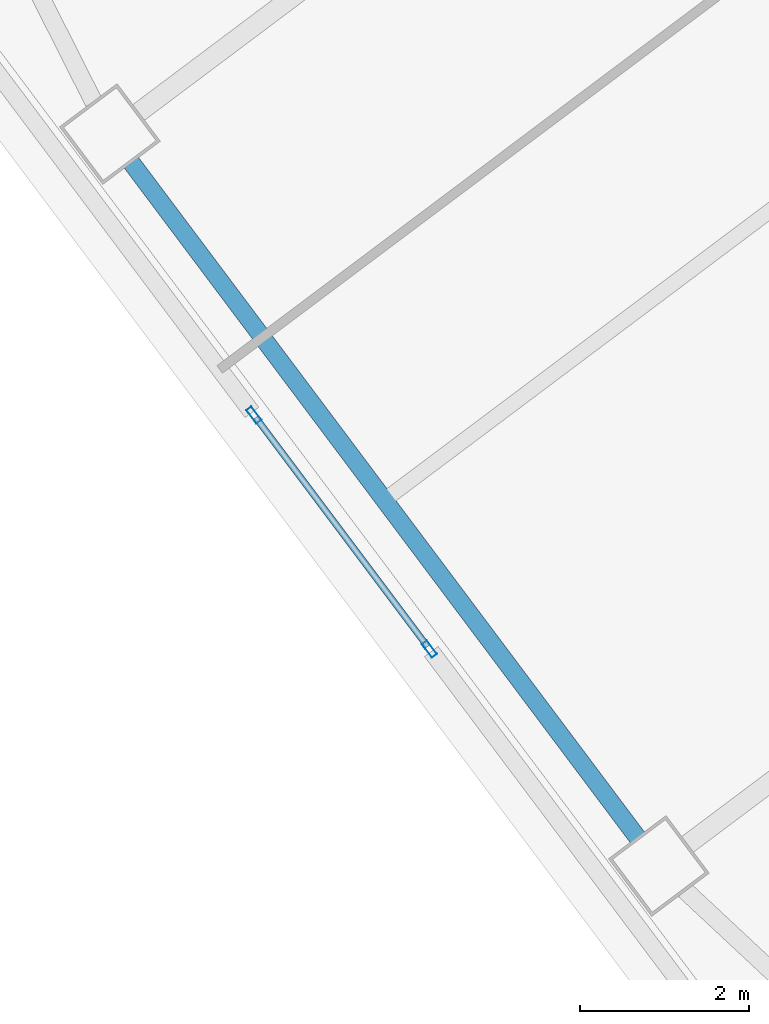
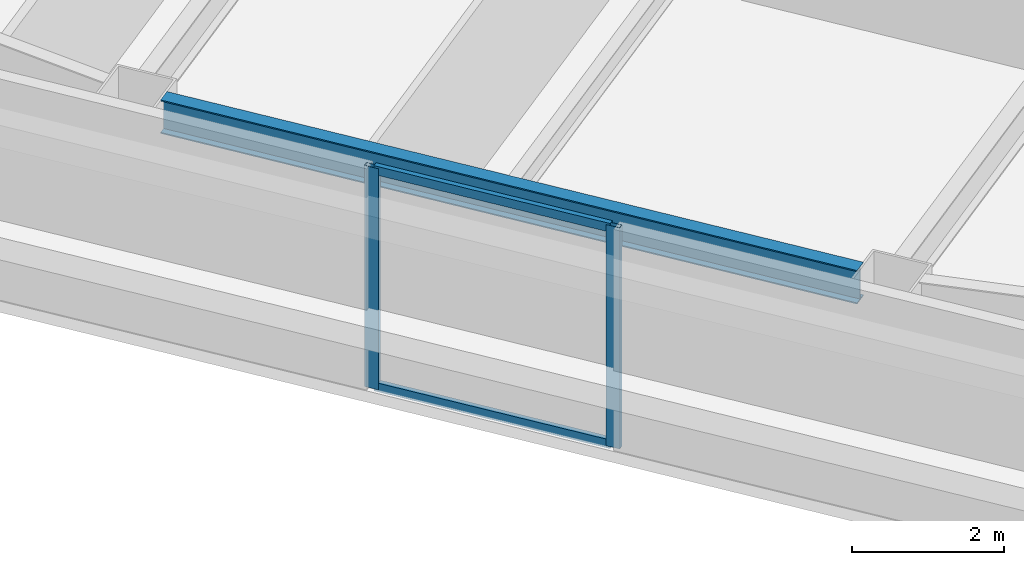
# One storey, part 17 of 44: 4 members, 1 beam, 1 element without a shape of its own.
"""IFC4 building model written with IfcOpenShell, lengths in metres."""

import ifcopenshell
import ifcopenshell.guid

model = None  # the IFC model being written
_history = None  # IfcOwnerHistory: only IFC2X3 demands one
_inside = {}  # id of a spatial element -> (the spatial element, [elements in it])
_under = {}  # id of a project, library or spatial element -> (it, [spatial elements below it])
_declared = {}  # id of a project -> (the project, [libraries it declares])
_typed = {}  # id of a type object -> (the type object, [elements of that type])
_made_of = {}  # id of a material, layer set ... -> (it, [elements and type objects made of it])


def new_model(schema):
    """Start an empty IFC model of exactly this schema.

    Asked for "IFC4X3", IfcOpenShell would pick the latest addendum, in which some entities
    have other attributes; the version numbers below select the first issue.
    IFC2X3 requires an IfcOwnerHistory on every rooted entity: one is made here for all.
    """
    global model, _history
    if schema == "IFC4X3":
        model = ifcopenshell.file(schema_version=(4, 3, 0, 0))
    else:
        model = ifcopenshell.file(schema=schema)
    _inside.clear()
    _under.clear()
    _declared.clear()
    _typed.clear()
    _made_of.clear()
    _history = None
    if model.schema == "IFC2X3":
        org = make("IfcOrganization", Name="unknown")
        user = make(
            "IfcPersonAndOrganization",
            ThePerson=make("IfcPerson", FamilyName="unknown"),
            TheOrganization=org,
        )
        app = make(
            "IfcApplication",
            ApplicationDeveloper=org,
            Version="unknown",
            ApplicationFullName="unknown",
            ApplicationIdentifier="unknown",
        )
        _history = make(
            "IfcOwnerHistory",
            OwningUser=user,
            OwningApplication=app,
            ChangeAction="ADDED",
            CreationDate=0,
        )
    return model


def make(cls, **values):
    """One entity of the class cls with the attributes given. An attribute that is None is left unset."""
    return model.create_entity(
        cls, **{name: value for name, value in values.items() if value is not None}
    )


def rooted(cls, **values):
    """An entity with a GlobalId (a new one), such as an element, a storey or a relation."""
    return make(cls, GlobalId=ifcopenshell.guid.new(), OwnerHistory=_history, **values)


def si_unit(unit_type, name, prefix=None):
    """IfcSIUnit, for example si_unit("LENGTHUNIT", "METRE", prefix="MILLI")."""
    return make("IfcSIUnit", UnitType=unit_type, Prefix=prefix, Name=name)


def assignment(units):
    """IfcUnitAssignment: the units of a project."""
    return None if units is None else make("IfcUnitAssignment", Units=units)


def point(xyz):
    """IfcCartesianPoint."""
    return None if xyz is None else make("IfcCartesianPoint", Coordinates=xyz)


def direction(xyz):
    """IfcDirection."""
    return None if xyz is None else make("IfcDirection", DirectionRatios=xyz)


def frame(location, z_axis=None, x_axis=None):
    """IfcAxis2Placement3D, a coordinate frame: its origin and axes. An axis left out is left unset."""
    return make(
        "IfcAxis2Placement3D",
        Location=point(location),
        Axis=direction(z_axis),
        RefDirection=direction(x_axis),
    )


def frame_2d(location, x_axis=None):
    """IfcAxis2Placement2D, a coordinate frame in the plane: its origin and x axis."""
    return make(
        "IfcAxis2Placement2D", Location=point(location), RefDirection=direction(x_axis)
    )


def origin():
    """The frame at (0, 0, 0) with its axes left unset."""
    return frame((0.0, 0.0, 0.0))


def origin_2d():
    """The frame at (0, 0) in the plane with its x axis left unset."""
    return frame_2d((0.0, 0.0))


def place(relative_to, where):
    """IfcLocalPlacement: puts the frame where relative to a parent placement (None: the world)."""
    return make(
        "IfcLocalPlacement", PlacementRelTo=relative_to, RelativePlacement=where
    )


def context(
    kind, dimensions, precision=None, world=None, true_north=None, identifier=None
):
    """IfcGeometricRepresentationContext, for example the 3D "Model" context."""
    return make(
        "IfcGeometricRepresentationContext",
        ContextIdentifier=identifier,
        ContextType=kind,
        CoordinateSpaceDimension=dimensions,
        Precision=precision,
        WorldCoordinateSystem=world,
        TrueNorth=true_north,
    )


def subcontext(parent, identifier, kind, view, scale=None):
    """IfcGeometricRepresentationSubContext, for example "Body" below "Model"."""
    return make(
        "IfcGeometricRepresentationSubContext",
        ContextIdentifier=identifier,
        ContextType=kind,
        ParentContext=parent,
        TargetScale=scale,
        TargetView=view,
    )


def project(units=None, contexts=None):
    """IfcProject with its units and contexts."""
    return rooted(
        "IfcProject",
        Name="project",
        RepresentationContexts=contexts,
        UnitsInContext=assignment(units),
    )


def spatial(cls, under=None, at=None, **own):
    """A site, building, storey or space (cls), placed at a placement, below another one or the project."""
    s = rooted(cls, ObjectPlacement=at, **own)
    if under is not None:
        _under.setdefault(under.id(), (under, []))[1].append(s)
    return s


def profile(cls, at=None, kind="AREA", **sizes):
    """A parametric profile (cls). Its sizes go by their IFC names, for example OverallWidth=200.0."""
    return make(cls, ProfileType=kind, Position=at, **sizes)


def hollow_rectangle(**sizes):
    """IfcRectangleHollowProfileDef."""
    return profile("IfcRectangleHollowProfileDef", **sizes)


def i_section(**sizes):
    """IfcIShapeProfileDef."""
    return profile("IfcIShapeProfileDef", **sizes)


def extrude(swept, where, along, depth):
    """IfcExtrudedAreaSolid: the profile swept, set in the frame where, extruded along a direction by depth."""
    return make(
        "IfcExtrudedAreaSolid",
        SweptArea=swept,
        Position=where,
        ExtrudedDirection=direction(along),
        Depth=depth,
    )


def shape(context_of_items, identifier, shape_type, items):
    """IfcShapeRepresentation: the items that make up one representation, for example the "Body"."""
    return make(
        "IfcShapeRepresentation",
        ContextOfItems=context_of_items,
        RepresentationIdentifier=identifier,
        RepresentationType=shape_type,
        Items=items,
    )


def material(Name=None, Category=None):
    """IfcMaterial."""
    return make("IfcMaterial", Name=Name, Category=Category)


def material_profile(
    of_material, cross_section, Name=None, Category=None, Priority=None
):
    """IfcMaterialProfile: a cross section and its material."""
    return make(
        "IfcMaterialProfile",
        Name=Name,
        Material=of_material,
        Profile=cross_section,
        Priority=Priority,
        Category=Category,
    )


def profile_set(profiles, Name=None, composite=None):
    """IfcMaterialProfileSet."""
    return make(
        "IfcMaterialProfileSet",
        Name=Name,
        MaterialProfiles=profiles,
        CompositeProfile=composite,
    )


def made_of(thing, what):
    """Note that an element or type object is made of a material, layer set ...; save() writes the relation."""
    if what is not None:
        _made_of.setdefault(what.id(), (what, []))[1].append(thing)
    return thing


def type_object(cls, material=None, **own):
    """A type object (cls), such as IfcWallType, which elements share."""
    return made_of(rooted(cls, **own), material)


def element(
    cls,
    number,
    at=None,
    inside=None,
    cuts=None,
    type_object=None,
    material=None,
    context=None,
    identifier="Body",
    shape_type=None,
    held_by="IfcProductDefinitionShape",
    body=None,
    shapes=None,
    **own,
):
    """One element of the class cls, such as IfcWall. Its Tag is "e" and its number.

    at: its placement. inside: the storey or other place that contains it. cuts: it is an
    opening in that element (IfcRelVoidsElement). A single representation is given by context,
    identifier, shape_type and body (its items); several are given by shapes. held_by: the class
    of the entity that holds the representations. save() writes the other relations.
    """
    e = rooted(cls, Tag="e%d" % number, ObjectPlacement=at, **own)
    if body is not None:
        shapes = [shape(context, identifier, shape_type, body)]
    if shapes is not None:
        e.Representation = make(held_by, Representations=shapes)
    if inside is not None:
        _inside.setdefault(inside.id(), (inside, []))[1].append(e)
    if cuts is not None:
        rooted(
            "IfcRelVoidsElement", RelatingBuildingElement=cuts, RelatedOpeningElement=e
        )
    if type_object is not None:
        _typed.setdefault(type_object.id(), (type_object, []))[1].append(e)
    return made_of(e, material)


def aggregate(whole, parts):
    """IfcRelAggregates: a whole, such as a stair, and the parts it consists of."""
    return rooted("IfcRelAggregates", RelatingObject=whole, RelatedObjects=parts)


def save(model, path):
    """Write the relations noted so far, then the file.

    IfcRelAggregates (storeys below a building ...), IfcRelContainedInSpatialStructure (elements
    in a storey), IfcRelDefinesByType, IfcRelAssociatesMaterial and IfcRelDeclares: one each for
    every whole, place, type object, material and project.
    """
    for whole, parts in _under.values():
        aggregate(whole, parts)
    for where, things in _inside.values():
        rooted(
            "IfcRelContainedInSpatialStructure",
            RelatedElements=things,
            RelatingStructure=where,
        )
    for kind, things in _typed.values():
        rooted("IfcRelDefinesByType", RelatedObjects=things, RelatingType=kind)
    for what, things in _made_of.values():
        rooted("IfcRelAssociatesMaterial", RelatedObjects=things, RelatingMaterial=what)
    for by, libraries in _declared.values():
        rooted("IfcRelDeclares", RelatingContext=by, RelatedDefinitions=libraries)
    model.write(path)


model = new_model("IFC4")

# Units and contexts
model_context = context("Model", 3, precision=1e-05, world=origin(), true_north=direction((0.0, 1.0)))
body_context = subcontext(model_context, "Body", "Model", "MODEL_VIEW")
ifc_project = project(units=[si_unit("LENGTHUNIT", "METRE"), si_unit("AREAUNIT", "SQUARE_METRE"), si_unit("VOLUMEUNIT", "CUBIC_METRE"), si_unit("PLANEANGLEUNIT", "RADIAN"), si_unit("MASSUNIT", "GRAM", prefix="KILO")], contexts=[model_context])

# Site, building, storey
site_placement = place(None, origin())
site = spatial("IfcSite", under=ifc_project, at=site_placement, CompositionType="ELEMENT")
building_placement = place(site_placement, origin())
building = spatial("IfcBuilding", under=site, at=building_placement, Name="Tashvorn Skyway Center", CompositionType="ELEMENT")
storey_placement = place(building_placement, frame((0.0, 0.0, 128.60009765625)))
storey = spatial("IfcBuildingStorey", under=building, at=storey_placement, Name="L34", CompositionType="ELEMENT", Elevation=128.60009765625)

# Beam
ifc_material_1 = material(Name="Steel ASTM A992 Grade 50", Category="steel")
ifc_material_profile_1 = material_profile(ifc_material_1, i_section(OverallWidth=0.2109375, OverallDepth=0.5390625, WebThickness=0.01171875, FlangeThickness=0.018798828125, at=origin_2d()), Name="W21X73")
ifc_profile_set_1 = profile_set([ifc_material_profile_1], Name="Steel ASTM A992 Grade 50")
beam_type = type_object("IfcBeamType", Name="BM-SPANDREL-W21X73", PredefinedType="SPANDREL", material=ifc_profile_set_1)
beam_placement = place(storey_placement, frame((96.89208984375, 25.39404296875, 3.100341796875), z_axis=(0.599988234018, -0.800008824351, 0.0), x_axis=(0.800008824351, 0.599988234018, 0.0)))
element("IfcBeam", 1, at=beam_placement, inside=storey, type_object=beam_type, Name="Tower 2 L34 Spandrel Beam 11", PredefinedType="SPANDREL", context=body_context, shape_type="SweptSolid", body=[
    extrude(i_section(OverallWidth=0.2109375, OverallDepth=0.5390625, WebThickness=0.01171875, FlangeThickness=0.018798828125, at=origin_2d()), origin(), (0.0, 0.0, 1.0), 9.9599609375),
])

# Curtain wall, members
ifc_material_2 = material(Name="Thermally broken bronze-anodized aluminium 6063-T6", Category="aluminium")
curtain_wall_type = type_object("IfcCurtainWallType", Name="CW-CW-Z3", PredefinedType="NOTDEFINED", material=ifc_material_2)
curtain_wall_placement = place(storey_placement, origin())
curtain_wall = element("IfcCurtainWall", 2, at=curtain_wall_placement, inside=storey, type_object=curtain_wall_type, Name="Tower 2 L34 West Unitised Curtain Wall Glazing Group 2", PredefinedType="NOTDEFINED")
ifc_material_profile_2 = material_profile(ifc_material_2, hollow_rectangle(XDim=0.074951171875, YDim=0.199951171875, WallThickness=0.00439453125, at=origin_2d()), Name="ALU-MULL-75x200")
ifc_profile_set_2 = profile_set([ifc_material_profile_2], Name="Thermally broken bronze-anodized aluminium 6063-T6")
member_type_1 = type_object("IfcMemberType", Name="CWM-CW-Z3", PredefinedType="MULLION", material=ifc_profile_set_2)
member_1_placement = place(storey_placement, frame((100.412109375, 19.650390625, 0.0), z_axis=(0.0, 0.0, 1.0), x_axis=(-0.799999999998, -0.600000000002, 0.0)))
member_1 = element("IfcMember", 3, at=member_1_placement, type_object=member_type_1, Name="CW-Z3 mullion 1", PredefinedType="MULLION", context=body_context, shape_type="SweptSolid", body=[
    extrude(hollow_rectangle(XDim=0.074951171875, YDim=0.199951171875, WallThickness=0.00439453125, at=origin_2d()), origin(), (0.0, 0.0, 1.0), 3.5498046875),
])
member_2_placement = place(storey_placement, frame((98.33984375, 22.41357421875, 0.0), z_axis=(0.0, 0.0, 1.0), x_axis=(-0.799999999998, -0.600000000002, 0.0)))
member_2 = element("IfcMember", 4, at=member_2_placement, type_object=member_type_1, Name="CW-Z3 mullion 2", PredefinedType="MULLION", context=body_context, shape_type="SweptSolid", body=[
    extrude(hollow_rectangle(XDim=0.074951171875, YDim=0.199951171875, WallThickness=0.00439453125, at=origin_2d()), origin(), (0.0, 0.0, 1.0), 3.5498046875),
])
ifc_material_profile_3 = material_profile(ifc_material_2, hollow_rectangle(XDim=0.074951171875, YDim=0.139892578125, WallThickness=0.004150390625, at=origin_2d()), Name="ALU-TRAN-75x140")
ifc_profile_set_3 = profile_set([ifc_material_profile_3], Name="Thermally broken bronze-anodized aluminium 6063-T6")
member_type_2 = type_object("IfcMemberType", Name="CWT-CW-Z3", PredefinedType="USERDEFINED", material=ifc_profile_set_3)
member_3_placement = place(storey_placement, frame((100.3896484375, 19.680419921875, 0.037353515625), z_axis=(-0.6, 0.8, 0.0), x_axis=(-0.8, -0.6, 0.0)))
member_3 = element("IfcMember", 5, at=member_3_placement, type_object=member_type_2, Name="CW-Z3 transom 1.1", ObjectType="TRANSOM", PredefinedType="USERDEFINED", context=body_context, shape_type="SweptSolid", body=[
    extrude(hollow_rectangle(XDim=0.074951171875, YDim=0.139892578125, WallThickness=0.004150390625, at=origin_2d()), origin(), (0.0, 0.0, 1.0), 3.37890625),
])
member_4_placement = place(storey_placement, frame((100.3896484375, 19.680419921875, 3.512451171875), z_axis=(-0.6, 0.8, 0.0), x_axis=(-0.8, -0.6, 0.0)))
member_4 = element("IfcMember", 6, at=member_4_placement, type_object=member_type_2, Name="CW-Z3 transom 1.2", ObjectType="TRANSOM", PredefinedType="USERDEFINED", context=body_context, shape_type="SweptSolid", body=[
    extrude(hollow_rectangle(XDim=0.074951171875, YDim=0.139892578125, WallThickness=0.004150390625, at=origin_2d()), origin(), (0.0, 0.0, 1.0), 3.37890625),
])
aggregate(curtain_wall, [member_1, member_2, member_3, member_4])

save(model, "model.ifc")
